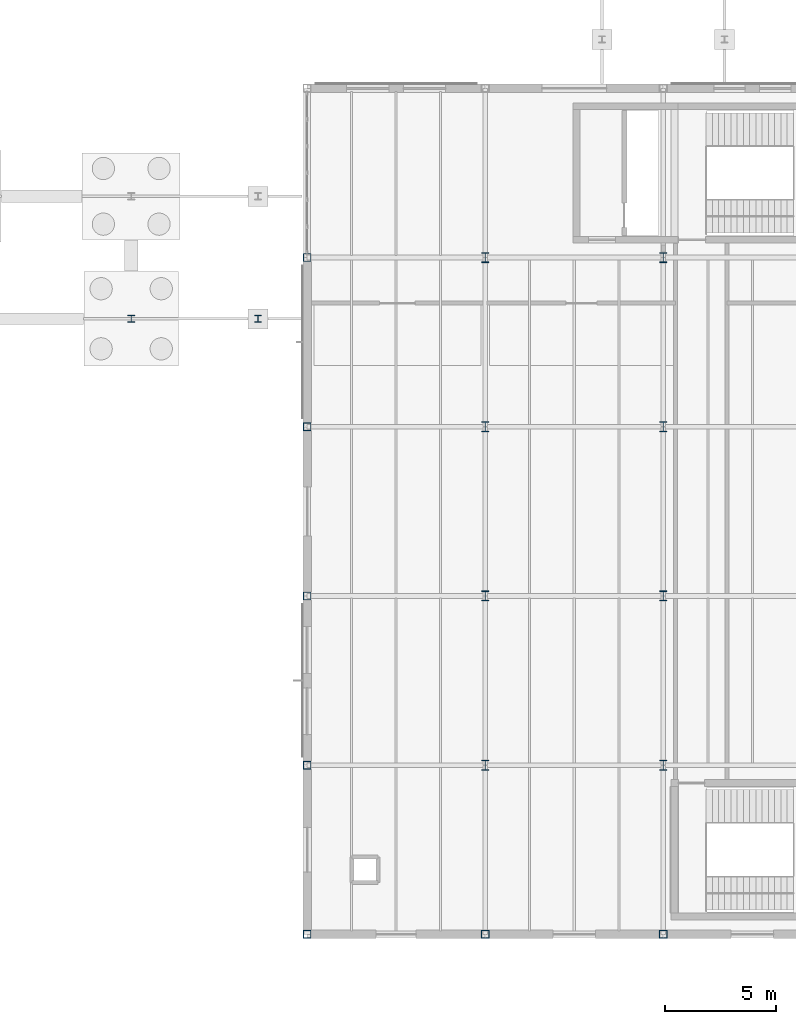
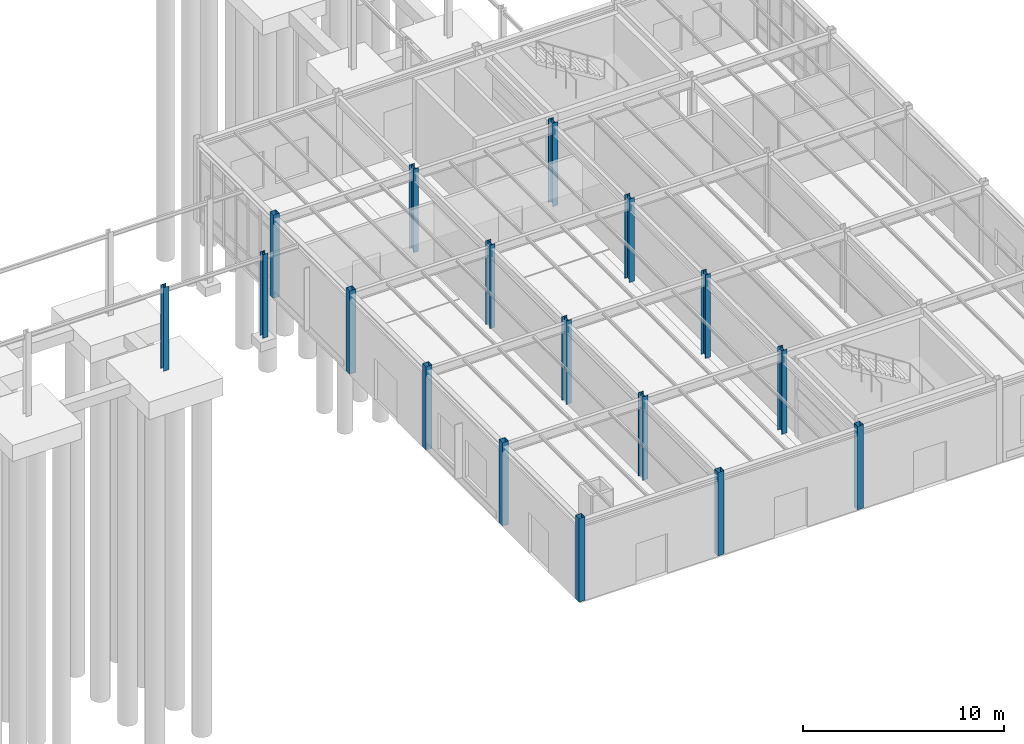
# One storey, part 20 of 109: 17 columns.
"""IFC4 building model written with IfcOpenShell, lengths in metres."""

from ifc_helpers import new_model, si_unit, direction, frame, origin, origin_2d, place, context, subcontext, project, spatial, hollow_rectangle, i_section, extrude, material, material_profile, profile_set, type_object, element, save


model = new_model("IFC4")

# Units and contexts
model_context = context("Model", 3, precision=1e-05, world=origin(), true_north=direction((0.0, 1.0)))
body_context = subcontext(model_context, "Body", "Model", "MODEL_VIEW")
ifc_project = project(units=[si_unit("LENGTHUNIT", "METRE"), si_unit("AREAUNIT", "SQUARE_METRE"), si_unit("VOLUMEUNIT", "CUBIC_METRE"), si_unit("PLANEANGLEUNIT", "RADIAN"), si_unit("MASSUNIT", "GRAM", prefix="KILO")], contexts=[model_context])

# Site, building, storey
site_placement = place(None, origin())
site = spatial("IfcSite", under=ifc_project, at=site_placement, CompositionType="ELEMENT")
building_placement = place(site_placement, origin())
building = spatial("IfcBuilding", under=site, at=building_placement, Name="Montecoro Central Library", CompositionType="ELEMENT")
storey_placement = place(building_placement, origin())
storey = spatial("IfcBuildingStorey", under=building, at=storey_placement, Name="L00", CompositionType="ELEMENT", Elevation=0.0)

# Columns
ifc_material_1 = material(Name="Steel S355", Category="steel")
ifc_material_profile_1 = material_profile(ifc_material_1, i_section(OverallWidth=0.300048828125, OverallDepth=0.300048828125, WebThickness=0.010986328125, FlangeThickness=0.01904296875, at=origin_2d()), Name="HEB 300")
ifc_profile_set_1 = profile_set([ifc_material_profile_1], Name="Steel S355")
column_type_1 = type_object("IfcColumnType", Name="COL-HEB300", PredefinedType="COLUMN", material=ifc_profile_set_1)
for number, where, z_axis, x_axis, name in (
    (1, (133.10009765625, 32.64990234375, 0.0), (0.0, 0.0, 1.0), (1.0, 0.0, 0.0), "BR-SE-L00-COL-1331-326"),
    (2, (138.800048828125, 32.64990234375, 0.0), (0.0, 0.0, 1.0), (1.0, 0.0, 0.0), "BR-SE-L00-COL-1388-326"),
):
    element("IfcColumn", number, at=place(storey_placement, frame(where, z_axis=z_axis, x_axis=x_axis)), inside=storey, type_object=column_type_1, Name=name, PredefinedType="COLUMN", context=body_context, shape_type="SweptSolid", body=[
        extrude(i_section(OverallWidth=0.300048828125, OverallDepth=0.300048828125, WebThickness=0.010986328125, FlangeThickness=0.01904296875, at=origin_2d()), origin(), (0.0, 0.0, 1.0), 5.074951171875),
    ])
ifc_material_profile_2 = material_profile(ifc_material_1, i_section(OverallWidth=0.300048828125, OverallDepth=0.449951171875, WebThickness=0.013916015625, FlangeThickness=0.02587890625, at=origin_2d()), Name="HEB 450")
ifc_profile_set_2 = profile_set([ifc_material_profile_2], Name="Steel S355")
column_type_2 = type_object("IfcColumnType", Name="COL-HEB450", PredefinedType="COLUMN", material=ifc_profile_set_2)
for number, where, z_axis, x_axis, name in (
    (3, (149.0, 12.60009765625, 0.0), (0.0, 0.0, 1.0), (1.0, 0.0, 0.0), "V6-L00-COL-19-B"),
    (4, (149.0, 20.199951171875, 0.0), (0.0, 0.0, 1.0), (1.0, 0.0, 0.0), "V6-L00-COL-19-C"),
    (5, (149.0, 27.800048828125, 0.0), (0.0, 0.0, 1.0), (1.0, 0.0, 0.0), "V6-L00-COL-19-D"),
    (6, (149.0, 35.39990234375, 0.0), (0.0, 0.0, 1.0), (1.0, 0.0, 0.0), "V6-L00-COL-19-E"),
    (7, (157.0, 12.60009765625, 0.0), (0.0, 0.0, 1.0), (1.0, 0.0, 0.0), "V6-L00-COL-20-B"),
    (8, (157.0, 20.199951171875, 0.0), (0.0, 0.0, 1.0), (1.0, 0.0, 0.0), "V6-L00-COL-20-C"),
    (9, (157.0, 27.800048828125, 0.0), (0.0, 0.0, 1.0), (1.0, 0.0, 0.0), "V6-L00-COL-20-D"),
    (10, (157.0, 35.39990234375, 0.0), (0.0, 0.0, 1.0), (1.0, 0.0, 0.0), "V6-L00-COL-20-E"),
):
    element("IfcColumn", number, at=place(storey_placement, frame(where, z_axis=z_axis, x_axis=x_axis)), inside=storey, type_object=column_type_2, Name=name, PredefinedType="COLUMN", context=body_context, shape_type="SweptSolid", body=[
        extrude(i_section(OverallWidth=0.300048828125, OverallDepth=0.449951171875, WebThickness=0.013916015625, FlangeThickness=0.02587890625, at=origin_2d()), origin(), (0.0, 0.0, 1.0), 5.074951171875),
    ])
ifc_material_2 = material(Name="Steel S355J2", Category="steel")
ifc_material_profile_3 = material_profile(ifc_material_2, hollow_rectangle(XDim=0.35009765625, YDim=0.35009765625, WallThickness=0.01416015625, at=origin_2d()), Name="SHS 350x350x14.2")
ifc_profile_set_3 = profile_set([ifc_material_profile_3], Name="Steel S355J2")
column_type_3 = type_object("IfcColumnType", Name="COL-SHS350", PredefinedType="COLUMN", material=ifc_profile_set_3)
for number, where, z_axis, x_axis, name in (
    (11, (141.0, 5.0, 0.0), (0.0, 0.0, 1.0), (1.0, 0.0, 0.0), "V6-L00-COL-18-A"),
    (12, (141.0, 12.60009765625, 0.0), (0.0, 0.0, 1.0), (1.0, 0.0, 0.0), "V6-L00-COL-18-B"),
    (13, (141.0, 20.199951171875, 0.0), (0.0, 0.0, 1.0), (1.0, 0.0, 0.0), "V6-L00-COL-18-C"),
    (14, (141.0, 27.800048828125, 0.0), (0.0, 0.0, 1.0), (1.0, 0.0, 0.0), "V6-L00-COL-18-D"),
    (15, (141.0, 35.39990234375, 0.0), (0.0, 0.0, 1.0), (1.0, 0.0, 0.0), "V6-L00-COL-18-E"),
    (16, (149.0, 5.0, 0.0), (0.0, 0.0, 1.0), (1.0, 0.0, 0.0), "V6-L00-COL-19-A"),
    (17, (157.0, 5.0, 0.0), (0.0, 0.0, 1.0), (1.0, 0.0, 0.0), "V6-L00-COL-20-A"),
):
    element("IfcColumn", number, at=place(storey_placement, frame(where, z_axis=z_axis, x_axis=x_axis)), inside=storey, type_object=column_type_3, Name=name, PredefinedType="COLUMN", context=body_context, shape_type="SweptSolid", body=[
        extrude(hollow_rectangle(XDim=0.35009765625, YDim=0.35009765625, WallThickness=0.01416015625, at=origin_2d()), origin(), (0.0, 0.0, 1.0), 5.074951171875),
    ])

save(model, "model.ifc")
